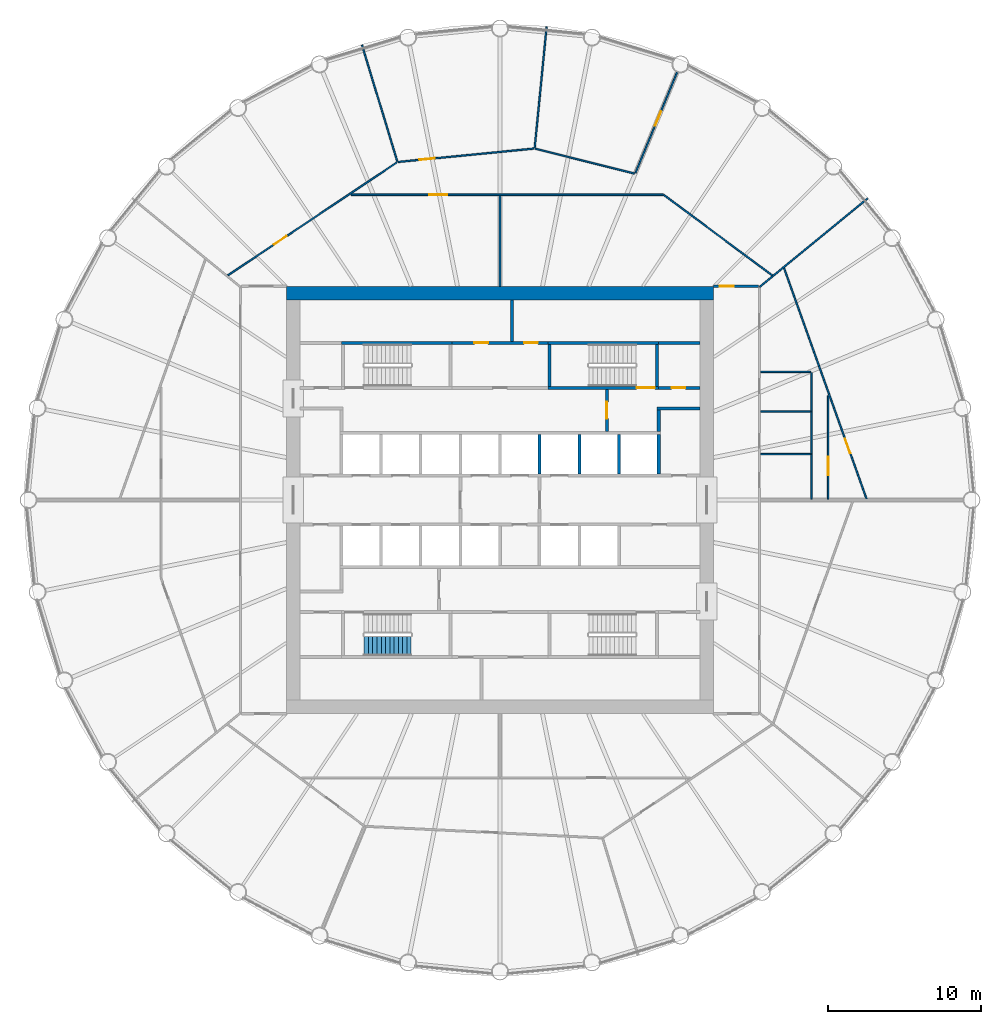
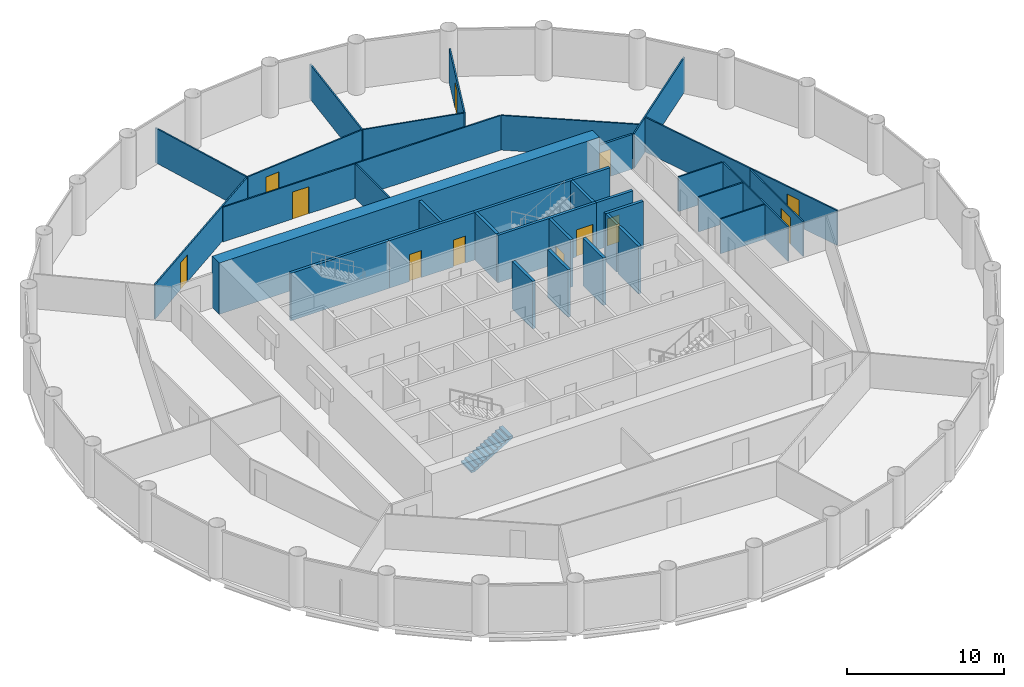
# One storey, part 7 of 9: 34 walls, 12 doors, 1 stair flight, 12 openings, 1 element without a shape of its own.
"""IFC4 building model written with IfcOpenShell, lengths in metres."""

from ifc_helpers import new_model, si_unit, direction, frame, frame_2d, origin, place, context, subcontext, project, spatial, polyline, rectangle, outline, extrude, material, layer, layer_set, type_object, element, fill, aggregate, save


model = new_model("IFC4")

# Units and contexts
model_context = context("Model", 3, precision=1e-05, world=origin(), true_north=direction((0.0, 1.0)))
body_context = subcontext(model_context, "Body", "Model", "MODEL_VIEW")
ifc_project = project(units=[si_unit("LENGTHUNIT", "METRE"), si_unit("AREAUNIT", "SQUARE_METRE"), si_unit("VOLUMEUNIT", "CUBIC_METRE"), si_unit("PLANEANGLEUNIT", "RADIAN"), si_unit("MASSUNIT", "GRAM", prefix="KILO")], contexts=[model_context])

# Site, building, storey
site_placement = place(None, origin())
site = spatial("IfcSite", under=ifc_project, at=site_placement, CompositionType="ELEMENT")
building_placement = place(site_placement, origin())
building = spatial("IfcBuilding", under=site, at=building_placement, Name="Corvane Civic Tower", CompositionType="ELEMENT")
storey_placement = place(building_placement, frame((0.0, 0.0, 184.0)))
storey = spatial("IfcBuildingStorey", under=building, at=storey_placement, Name="L43", CompositionType="ELEMENT", Elevation=184.0)

# Wall
ifc_material_1 = material(Name="Concrete C60/75", Category="concrete")
ifc_layer_1 = layer(ifc_material_1, 0.89990234375)
ifc_layer_set_1 = layer_set([ifc_layer_1], Name="Concrete C60/75")
wall_type_1 = type_object("IfcWallType", Name="CORE WALL 900 C60/75", PredefinedType="SHEAR", material=ifc_layer_set_1)
wall_1_placement = place(storey_placement, frame((-14.0, 13.550048828125, 0.0), z_axis=(0.0, 0.0, 1.0), x_axis=(1.0, 0.0, 0.0)))
element("IfcWall", 1, at=wall_1_placement, inside=storey, type_object=wall_type_1, Name="W-L43-core-N", PredefinedType="SHEAR", context=body_context, shape_type="SweptSolid", body=[
    extrude(rectangle(XDim=28.0, YDim=0.89990234375, at=frame_2d((14.0, 0.0))), origin(), (0.0, 0.0, 1.0), 4.0),
])

# Wall, opening, door
ifc_material_2 = material(Name="Concrete C30/37", Category="concrete")
ifc_layer_2 = layer(ifc_material_2, 0.199951171875)
ifc_layer_set_2 = layer_set([ifc_layer_2], Name="Concrete C30/37")
wall_type_2 = type_object("IfcWallType", Name="CR-WALL-200", PredefinedType="PARTITIONING", material=ifc_layer_set_2)
wall_2_placement = place(storey_placement, frame((10.39990234375, 7.35009765625, 0.0), z_axis=(0.0, 0.0, 1.0), x_axis=(1.0, 0.0, 0.0)))
wall_2 = element("IfcWall", 2, at=wall_2_placement, inside=storey, type_object=wall_type_2, Name="L43 core partition wall", PredefinedType="PARTITIONING", context=body_context, shape_type="SweptSolid", body=[
    extrude(rectangle(XDim=2.7001953125, YDim=0.199951171875, at=frame_2d((1.35009765625, 0.0))), origin(), (0.0, 0.0, 1.0), 3.699951171875),
])
opening_1_placement = place(wall_2_placement, frame((0.85009765625, 0.0, 0.0)))
opening_1 = element("IfcOpeningElement", 3, at=opening_1_placement, cuts=wall_2, Name="Opening L43.C14", PredefinedType="OPENING", context=body_context, shape_type="SweptSolid", body=[
    extrude(rectangle(XDim=0.89990234375, YDim=2.10009765625, at=frame_2d((0.449951171875, 1.050048828125))), frame((0.0, 0.10986328125, 0.0), z_axis=(0.0, -1.0, 0.0), x_axis=(1.0, 0.0, 0.0)), (0.0, 0.0, 1.0), 0.219970703125),
])
ifc_material_3 = material(Name="Steel fire door leaf", Category="steel")
door_type_1 = type_object("IfcDoorType", Name="CR-DOOR-900", OperationType="SINGLE_SWING_LEFT", PredefinedType="DOOR", material=ifc_material_3)
door_1_placement = place(opening_1_placement, origin())
door_1 = element("IfcDoor", 4, at=door_1_placement, inside=storey, type_object=door_type_1, Name="L43 door", OperationType="SINGLE_SWING_LEFT", OverallHeight=2.10009765625, OverallWidth=0.89990234375, PredefinedType="DOOR", context=body_context, shape_type="SweptSolid", body=[
    extrude(rectangle(XDim=0.89990234375, YDim=2.10009765625, at=frame_2d((0.449951171875, 1.050048828125))), frame((0.0, 0.02490234375, 0.0), z_axis=(0.0, -1.0, 0.0), x_axis=(1.0, 0.0, 0.0)), (0.0, 0.0, 1.0), 0.050048828125),
])
fill(opening_1, door_1)

# Wall, openings, doors
wall_3_placement = place(storey_placement, frame((-3.14990234375, 10.300048828125, 0.0), z_axis=(0.0, 0.0, 1.0), x_axis=(1.0, 0.0, 0.0)))
wall_3 = element("IfcWall", 5, at=wall_3_placement, inside=storey, type_object=wall_type_2, Name="L43 partition wall", PredefinedType="PARTITIONING", context=body_context, shape_type="SweptSolid", body=[
    extrude(rectangle(XDim=6.2998046875, YDim=0.199951171875, at=frame_2d((3.14990234375, 0.0))), origin(), (0.0, 0.0, 1.0), 3.699951171875),
])
opening_2_placement = place(wall_3_placement, frame((1.47509765625, 0.0, 0.0)))
opening_2 = element("IfcOpeningElement", 6, at=opening_2_placement, cuts=wall_3, Name="Opening L43.C08", PredefinedType="OPENING", context=body_context, shape_type="SweptSolid", body=[
    extrude(rectangle(XDim=0.89990234375, YDim=2.10009765625, at=frame_2d((0.449951171875, 1.050048828125))), frame((0.0, 0.10986328125, 0.0), z_axis=(0.0, -1.0, 0.0), x_axis=(1.0, 0.0, 0.0)), (0.0, 0.0, 1.0), 0.219970703125),
])
opening_3_placement = place(wall_3_placement, frame((4.72509765625, 0.0, 0.0)))
opening_3 = element("IfcOpeningElement", 7, at=opening_3_placement, cuts=wall_3, Name="Opening L43.C09", PredefinedType="OPENING", context=body_context, shape_type="SweptSolid", body=[
    extrude(rectangle(XDim=0.89990234375, YDim=2.10009765625, at=frame_2d((0.449951171875, 1.050048828125))), frame((0.0, 0.10986328125, 0.0), z_axis=(0.0, -1.0, 0.0), x_axis=(1.0, 0.0, 0.0)), (0.0, 0.0, 1.0), 0.219970703125),
])
door_2_placement = place(opening_2_placement, origin())
door_2 = element("IfcDoor", 8, at=door_2_placement, inside=storey, type_object=door_type_1, Name="L43 door", OperationType="SINGLE_SWING_LEFT", OverallHeight=2.10009765625, OverallWidth=0.89990234375, PredefinedType="DOOR", context=body_context, shape_type="SweptSolid", body=[
    extrude(rectangle(XDim=0.89990234375, YDim=2.10009765625, at=frame_2d((0.449951171875, 1.050048828125))), frame((0.0, 0.02490234375, 0.0), z_axis=(0.0, -1.0, 0.0), x_axis=(1.0, 0.0, 0.0)), (0.0, 0.0, 1.0), 0.050048828125),
])
fill(opening_2, door_2)
door_3_placement = place(opening_3_placement, origin())
door_3 = element("IfcDoor", 9, at=door_3_placement, inside=storey, type_object=door_type_1, Name="L43 door", OperationType="SINGLE_SWING_LEFT", OverallHeight=2.10009765625, OverallWidth=0.89990234375, PredefinedType="DOOR", context=body_context, shape_type="SweptSolid", body=[
    extrude(rectangle(XDim=0.89990234375, YDim=2.10009765625, at=frame_2d((0.449951171875, 1.050048828125))), frame((0.0, 0.02490234375, 0.0), z_axis=(0.0, -1.0, 0.0), x_axis=(1.0, 0.0, 0.0)), (0.0, 0.0, 1.0), 0.050048828125),
])
fill(opening_3, door_3)

# Wall, opening, door
wall_4_placement = place(storey_placement, frame((7.0, 4.5, 0.0), z_axis=(0.0, 0.0, 1.0), x_axis=(0.0, 1.0, 0.0)))
wall_4 = element("IfcWall", 10, at=wall_4_placement, inside=storey, type_object=wall_type_2, Name="L43 core partition wall", PredefinedType="PARTITIONING", context=body_context, shape_type="SweptSolid", body=[
    extrude(rectangle(XDim=2.75, YDim=0.199951171875, at=frame_2d((1.375, 0.0))), origin(), (0.0, 0.0, 1.0), 3.699951171875),
])
opening_4_placement = place(wall_4_placement, frame((0.824951171875, 0.0, 0.0)))
opening_4 = element("IfcOpeningElement", 11, at=opening_4_placement, cuts=wall_4, Name="Opening L43.C22", PredefinedType="OPENING", context=body_context, shape_type="SweptSolid", body=[
    extrude(rectangle(XDim=1.10009765625, YDim=2.10009765625, at=frame_2d((0.550048828125, 1.050048828125))), frame((0.0, 0.10986328125, 0.0), z_axis=(0.0, -1.0, 0.0), x_axis=(1.0, 0.0, 0.0)), (0.0, 0.0, 1.0), 0.219970703125),
])
ifc_material_4 = material(Name="Steel fire door leaf", Category="steel")
door_type_2 = type_object("IfcDoorType", Name="CR-DOOR-FFL-1100", OperationType="SINGLE_SWING_LEFT", PredefinedType="DOOR", material=ifc_material_4)
door_4_placement = place(opening_4_placement, origin())
door_4 = element("IfcDoor", 12, at=door_4_placement, inside=storey, type_object=door_type_2, Name="L43 lobby door", OperationType="SINGLE_SWING_LEFT", OverallHeight=2.10009765625, OverallWidth=1.10009765625, PredefinedType="DOOR", context=body_context, shape_type="SweptSolid", body=[
    extrude(rectangle(XDim=1.10009765625, YDim=2.10009765625, at=frame_2d((0.550048828125, 1.050048828125))), frame((0.0, 0.02490234375, 0.0), z_axis=(0.0, -1.0, 0.0), x_axis=(1.0, 0.0, 0.0)), (0.0, 0.0, 1.0), 0.050048828125),
])
fill(opening_4, door_4)

# Walls
wall_5_placement = place(storey_placement, origin())
element("IfcWall", 13, at=wall_5_placement, inside=storey, type_object=wall_type_2, Name="L43 core partition wall", PredefinedType="PARTITIONING", context=body_context, shape_type="SweptSolid", body=[
    extrude(outline(polyline([(13.10009765625, 5.89990234375), (10.300048828125, 5.89990234375), (10.300048828125, 6.10009765625), (13.10009765625, 6.10009765625), (13.10009765625, 5.89990234375)])), origin(), (0.0, 0.0, 1.0), 3.699951171875),
])
wall_6_placement = place(storey_placement, origin())
element("IfcWall", 14, at=wall_6_placement, inside=storey, type_object=wall_type_2, Name="L43 core partition wall", PredefinedType="PARTITIONING", context=body_context, shape_type="SweptSolid", body=[
    extrude(outline(polyline([(2.699951171875, 1.699951171875), (2.5, 1.699951171875), (2.5, 4.2998046875), (2.699951171875, 4.2998046875), (2.699951171875, 1.699951171875)])), origin(), (0.0, 0.0, 1.0), 3.699951171875),
])
wall_7_placement = place(storey_placement, origin())
element("IfcWall", 15, at=wall_7_placement, inside=storey, type_object=wall_type_2, Name="L43 core partition wall", PredefinedType="PARTITIONING", context=body_context, shape_type="SweptSolid", body=[
    extrude(outline(polyline([(5.300048828125, 1.699951171875), (5.10009765625, 1.699951171875), (5.10009765625, 4.2998046875), (5.300048828125, 4.2998046875), (5.300048828125, 1.699951171875)])), origin(), (0.0, 0.0, 1.0), 3.699951171875),
])
wall_8_placement = place(storey_placement, origin())
element("IfcWall", 16, at=wall_8_placement, inside=storey, type_object=wall_type_2, Name="L43 core partition wall", PredefinedType="PARTITIONING", context=body_context, shape_type="SweptSolid", body=[
    extrude(outline(polyline([(7.89990234375, 1.699951171875), (7.699951171875, 1.699951171875), (7.699951171875, 4.2998046875), (7.89990234375, 4.2998046875), (7.89990234375, 1.699951171875)])), origin(), (0.0, 0.0, 1.0), 3.699951171875),
])
wall_9_placement = place(storey_placement, origin())
element("IfcWall", 17, at=wall_9_placement, inside=storey, type_object=wall_type_2, Name="L43 core partition wall", PredefinedType="PARTITIONING", context=body_context, shape_type="SweptSolid", body=[
    extrude(outline(polyline([(10.5, 1.699951171875), (10.300048828125, 1.699951171875), (10.300048828125, 4.2998046875), (10.5, 4.2998046875), (10.5, 1.699951171875)])), origin(), (0.0, 0.0, 1.0), 3.699951171875),
])
wall_10_placement = place(storey_placement, origin())
element("IfcWall", 18, at=wall_10_placement, inside=storey, type_object=wall_type_2, Name="L43 core partition wall", PredefinedType="PARTITIONING", context=body_context, shape_type="SweptSolid", body=[
    extrude(outline(polyline([(10.5, 4.5), (10.300048828125, 4.5), (10.300048828125, 5.89990234375), (10.5, 5.89990234375), (10.5, 4.5)])), origin(), (0.0, 0.0, 1.0), 3.699951171875),
])
wall_11_placement = place(storey_placement, origin())
element("IfcWall", 19, at=wall_11_placement, inside=storey, type_object=wall_type_2, Name="L43 core partition wall", PredefinedType="PARTITIONING", context=body_context, shape_type="SweptSolid", body=[
    extrude(outline(polyline([(0.89990234375, 10.39990234375), (0.699951171875, 10.39990234375), (0.699951171875, 13.10009765625), (0.89990234375, 13.10009765625), (0.89990234375, 10.39990234375)])), origin(), (0.0, 0.0, 1.0), 3.699951171875),
])
wall_12_placement = place(storey_placement, origin())
element("IfcWall", 20, at=wall_12_placement, inside=storey, type_object=wall_type_2, Name="L43 core partition wall", PredefinedType="PARTITIONING", context=body_context, shape_type="SweptSolid", body=[
    extrude(outline(polyline([(10.39990234375, 10.199951171875), (10.39990234375, 10.39990234375), (13.10009765625, 10.39990234375), (13.10009765625, 10.199951171875), (10.39990234375, 10.199951171875)])), origin(), (0.0, 0.0, 1.0), 3.699951171875),
])
ifc_material_5 = material(Name="Plasterboard")
ifc_layer_3 = layer(ifc_material_5, 0.10009765625)
ifc_layer_set_3 = layer_set([ifc_layer_3], Name="Plasterboard")
wall_type_3 = type_object("IfcWallType", Name="Partition 100 plasterboard on studs", PredefinedType="PARTITIONING", material=ifc_layer_set_3)
wall_13_placement = place(storey_placement, frame((20.39990234375, 0.050048828125, 0.0), z_axis=(0.0, 0.0, 1.0), x_axis=(0.0, 1.0, 0.0)))
element("IfcWall", 21, at=wall_13_placement, inside=storey, type_object=wall_type_3, Name="Partition L43.020", PredefinedType="PARTITIONING", context=body_context, shape_type="SweptSolid", body=[
    extrude(rectangle(XDim=8.300048828125, YDim=0.10009765625, at=frame_2d((4.14990234375, 0.0))), origin(), (0.0, 0.0, 1.0), 2.699951171875),
])

# Wall, opening, door
wall_14_placement = place(storey_placement, frame((21.5, 0.050048828125, 0.0), z_axis=(0.0, 0.0, 1.0), x_axis=(0.0, 1.0, 0.0)))
wall_14 = element("IfcWall", 22, at=wall_14_placement, inside=storey, type_object=wall_type_3, Name="Partition L43.021", PredefinedType="PARTITIONING", context=body_context, shape_type="SweptSolid", body=[
    extrude(rectangle(XDim=6.76513671875, YDim=0.10009765625, at=frame_2d((3.382568359375, 0.0))), origin(), (0.0, 0.0, 1.0), 2.699951171875),
])
opening_5_placement = place(wall_14_placement, frame((1.56982421875, 0.0, 0.0)))
opening_5 = element("IfcOpeningElement", 23, at=opening_5_placement, cuts=wall_14, Name="Opening L43.014", PredefinedType="OPENING", context=body_context, shape_type="SweptSolid", body=[
    extrude(rectangle(XDim=1.199951171875, YDim=2.10009765625, at=frame_2d((0.60009765625, 1.050048828125))), frame((0.0, 0.06005859375, 0.0), z_axis=(0.0, -1.0, 0.0), x_axis=(1.0, 0.0, 0.0)), (0.0, 0.0, 1.0), 0.1201171875),
])
ifc_material_6 = material(Name="Timber", Category="wood")
door_type_3 = type_object("IfcDoorType", Name="Double door 1200", OperationType="NOTDEFINED", PredefinedType="DOOR", material=ifc_material_6)
door_5_placement = place(opening_5_placement, frame((1.199951171875, 0.0, 0.0), z_axis=(0.0, 0.0, 1.0), x_axis=(-1.0, 0.0, 0.0)))
door_5 = element("IfcDoor", 24, at=door_5_placement, inside=storey, type_object=door_type_3, Name="Door L43.014", OperationType="DOUBLE_DOOR_SINGLE_SWING", OverallHeight=2.10009765625, OverallWidth=1.199951171875, PredefinedType="DOOR", context=body_context, shape_type="SweptSolid", body=[
    extrude(rectangle(XDim=1.199951171875, YDim=2.10009765625, at=frame_2d((0.60009765625, 1.050048828125))), frame((0.0, 0.02490234375, 0.0), z_axis=(0.0, -1.0, 0.0), x_axis=(1.0, 0.0, 0.0)), (0.0, 0.0, 1.0), 0.050048828125),
])
fill(opening_5, door_5)

wall_15_placement = place(storey_placement, frame((18.6083984375, 15.18505859375, 0.0), z_axis=(0.0, 0.0, 1.0), x_axis=(0.336879589129, -0.941547737732, 0.0)))
wall_15 = element("IfcWall", 25, at=wall_15_placement, inside=storey, type_object=wall_type_3, Name="Partition L43.023", PredefinedType="PARTITIONING", context=body_context, shape_type="SweptSolid", body=[
    extrude(rectangle(XDim=16.056640625, YDim=0.10009765625, at=frame_2d((8.0283203125, 0.0))), origin(), (0.0, 0.0, 1.0), 2.699951171875),
])
opening_6_placement = place(wall_15_placement, frame((11.872802734375, 0.0, 0.0)))
opening_6 = element("IfcOpeningElement", 26, at=opening_6_placement, cuts=wall_15, Name="Opening L43.013", PredefinedType="OPENING", context=body_context, shape_type="SweptSolid", body=[
    extrude(rectangle(XDim=1.0, YDim=2.10009765625, at=frame_2d((0.5, 1.050048828125))), frame((0.0, 0.06005859375, 0.0), z_axis=(0.0, -1.0, 0.0), x_axis=(1.0, 0.0, 0.0)), (0.0, 0.0, 1.0), 0.1201171875),
])
ifc_material_7 = material(Name="Timber", Category="wood")
door_type_4 = type_object("IfcDoorType", Name="Single door 1000", OperationType="NOTDEFINED", PredefinedType="DOOR", material=ifc_material_7)
door_6_placement = place(opening_6_placement, origin())
door_6 = element("IfcDoor", 27, at=door_6_placement, inside=storey, type_object=door_type_4, Name="Door L43.013", OperationType="SINGLE_SWING_LEFT", OverallHeight=2.10009765625, OverallWidth=1.0, PredefinedType="DOOR", context=body_context, shape_type="SweptSolid", body=[
    extrude(rectangle(XDim=1.0, YDim=2.10009765625, at=frame_2d((0.5, 1.050048828125))), frame((0.0, 0.02490234375, 0.0), z_axis=(0.0, -1.0, 0.0), x_axis=(1.0, 0.0, 0.0)), (0.0, 0.0, 1.0), 0.050048828125),
])
fill(opening_6, door_6)

# Walls
for number, where, z_axis, x_axis, name in (
    (28, (17.074951171875, 3.0, 0.0), (0.0, 0.0, 1.0), (1.0, 0.0, 0.0), "Partition L43.024"),
    (29, (17.074951171875, 5.800048828125, 0.0), (0.0, 0.0, 1.0), (1.0, 0.0, 0.0), "Partition L43.025"),
    (30, (17.074951171875, 8.39990234375, 0.0), (0.0, 0.0, 1.0), (1.0, 0.0, 0.0), "Partition L43.026"),
):
    element("IfcWall", number, at=place(storey_placement, frame(where, z_axis=z_axis, x_axis=x_axis)), inside=storey, type_object=wall_type_3, Name=name, PredefinedType="PARTITIONING", context=body_context, shape_type="SweptSolid", body=[
        extrude(rectangle(XDim=3.275146484375, YDim=0.10009765625, at=frame_2d((1.6376953125, 0.0))), origin(), (0.0, 0.0, 1.0), 2.699951171875),
    ])
wall_16_placement = place(storey_placement, frame((17.018310546875, 13.966552734375, 0.0), z_axis=(0.0, 0.0, 1.0), x_axis=(0.773006154143, 0.634398522742, 0.0)))
element("IfcWall", 31, at=wall_16_placement, inside=storey, type_object=wall_type_3, Name="Partition L43.028", PredefinedType="PARTITIONING", context=body_context, shape_type="SweptSolid", body=[
    extrude(rectangle(XDim=9.134521484375, YDim=0.10009765625, at=frame_2d((4.5673828125, 0.0))), origin(), (0.0, 0.0, 1.0), 2.699951171875),
])
wall_17_placement = place(storey_placement, frame((0.0, 14.0, 0.0), z_axis=(0.0, 0.0, 1.0), x_axis=(0.0, 1.0, 0.0)))
element("IfcWall", 32, at=wall_17_placement, inside=storey, type_object=wall_type_3, Name="Partition L43.030", PredefinedType="PARTITIONING", context=body_context, shape_type="SweptSolid", body=[
    extrude(rectangle(XDim=5.949951171875, YDim=0.10009765625, at=frame_2d((2.97509765625, 0.0))), origin(), (0.0, 0.0, 1.0), 2.699951171875),
])

# Wall, opening, door
wall_18_placement = place(storey_placement, frame((-17.831787109375, 14.717529296875, 0.0), z_axis=(0.0, 0.0, 1.0), x_axis=(0.831460930183, 0.55558322651, 0.0)))
wall_18 = element("IfcWall", 33, at=wall_18_placement, inside=storey, type_object=wall_type_3, Name="Partition L43.032", PredefinedType="PARTITIONING", context=body_context, shape_type="SweptSolid", body=[
    extrude(rectangle(XDim=13.330078125, YDim=0.10009765625, at=frame_2d((6.6650390625, 0.0))), origin(), (0.0, 0.0, 1.0), 2.699951171875),
])
opening_7_placement = place(wall_18_placement, frame((3.630126953125, 0.0, 0.0)))
opening_7 = element("IfcOpeningElement", 34, at=opening_7_placement, cuts=wall_18, Name="Opening L43.001", PredefinedType="OPENING", context=body_context, shape_type="SweptSolid", body=[
    extrude(rectangle(XDim=1.0, YDim=2.10009765625, at=frame_2d((0.5, 1.050048828125))), frame((0.0, 0.06005859375, 0.0), z_axis=(0.0, -1.0, 0.0), x_axis=(1.0, 0.0, 0.0)), (0.0, 0.0, 1.0), 0.1201171875),
])
door_7_placement = place(opening_7_placement, origin())
door_7 = element("IfcDoor", 35, at=door_7_placement, inside=storey, type_object=door_type_4, Name="Door L43.001", OperationType="SINGLE_SWING_LEFT", OverallHeight=2.10009765625, OverallWidth=1.0, PredefinedType="DOOR", context=body_context, shape_type="SweptSolid", body=[
    extrude(rectangle(XDim=1.0, YDim=2.10009765625, at=frame_2d((0.5, 1.050048828125))), frame((0.0, 0.02490234375, 0.0), z_axis=(0.0, -1.0, 0.0), x_axis=(1.0, 0.0, 0.0)), (0.0, 0.0, 1.0), 0.050048828125),
])
fill(opening_7, door_7)

# Wall
wall_19_placement = place(storey_placement, frame((10.728271484375, 19.990234375, 0.0), z_axis=(0.0, 0.0, 1.0), x_axis=(0.803209586085, -0.595696534169, 0.0)))
element("IfcWall", 36, at=wall_19_placement, inside=storey, type_object=wall_type_3, Name="Partition L43.033", PredefinedType="PARTITIONING", context=body_context, shape_type="SweptSolid", body=[
    extrude(rectangle(XDim=8.849609375, YDim=0.10009765625, at=frame_2d((4.4248046875, 0.0))), origin(), (0.0, 0.0, 1.0), 2.699951171875),
])

# Wall, opening, door
wall_20_placement = place(storey_placement, frame((-9.761474609375, 20.0, 0.0), z_axis=(0.0, 0.0, 1.0), x_axis=(1.0, 0.0, 0.0)))
wall_20 = element("IfcWall", 37, at=wall_20_placement, inside=storey, type_object=wall_type_3, Name="Partition L43.034", PredefinedType="PARTITIONING", context=body_context, shape_type="SweptSolid", body=[
    extrude(rectangle(XDim=20.4599609375, YDim=0.10009765625, at=frame_2d((10.22998046875, 0.0))), origin(), (0.0, 0.0, 1.0), 2.699951171875),
])
opening_8_placement = place(wall_20_placement, frame((5.11669921875, 0.0, 0.0)))
opening_8 = element("IfcOpeningElement", 38, at=opening_8_placement, cuts=wall_20, Name="Opening L43.004", PredefinedType="OPENING", context=body_context, shape_type="SweptSolid", body=[
    extrude(rectangle(XDim=1.199951171875, YDim=2.10009765625, at=frame_2d((0.60009765625, 1.050048828125))), frame((0.0, 0.06005859375, 0.0), z_axis=(0.0, -1.0, 0.0), x_axis=(1.0, 0.0, 0.0)), (0.0, 0.0, 1.0), 0.1201171875),
])
door_8_placement = place(opening_8_placement, origin())
door_8 = element("IfcDoor", 39, at=door_8_placement, inside=storey, type_object=door_type_3, Name="Door L43.004", OperationType="DOUBLE_DOOR_SINGLE_SWING", OverallHeight=2.10009765625, OverallWidth=1.199951171875, PredefinedType="DOOR", context=body_context, shape_type="SweptSolid", body=[
    extrude(rectangle(XDim=1.199951171875, YDim=2.10009765625, at=frame_2d((0.60009765625, 1.050048828125))), frame((0.0, 0.02490234375, 0.0), z_axis=(0.0, -1.0, 0.0), x_axis=(1.0, 0.0, 0.0)), (0.0, 0.0, 1.0), 0.050048828125),
])
fill(opening_8, door_8)

# Wall
wall_21_placement = place(storey_placement, frame((2.31005859375, 23.018798828125, 0.0), z_axis=(0.0, 0.0, 1.0), x_axis=(0.970020284766, -0.243023964133, 0.0)))
element("IfcWall", 40, at=wall_21_placement, inside=storey, type_object=wall_type_3, Name="Partition L43.035", PredefinedType="PARTITIONING", context=body_context, shape_type="SweptSolid", body=[
    extrude(rectangle(XDim=6.70458984375, YDim=0.10009765625, at=frame_2d((3.352294921875, 0.0))), origin(), (0.0, 0.0, 1.0), 2.699951171875),
])

# Wall, opening, door
wall_22_placement = place(storey_placement, frame((8.8720703125, 21.4189453125, 0.0), z_axis=(0.0, 0.0, 1.0), x_axis=(0.382674187427, 0.923883361836, 0.0)))
wall_22 = element("IfcWall", 41, at=wall_22_placement, inside=storey, type_object=wall_type_3, Name="Partition L43.036", PredefinedType="PARTITIONING", context=body_context, shape_type="SweptSolid", body=[
    extrude(rectangle(XDim=7.15625, YDim=0.10009765625, at=frame_2d((3.578125, 0.0))), origin(), (0.0, 0.0, 1.0), 2.699951171875),
])
opening_9_placement = place(wall_22_placement, frame((3.361572265625, 0.0, 0.0)))
opening_9 = element("IfcOpeningElement", 42, at=opening_9_placement, cuts=wall_22, Name="Opening L43.003", PredefinedType="OPENING", context=body_context, shape_type="SweptSolid", body=[
    extrude(rectangle(XDim=1.0, YDim=2.10009765625, at=frame_2d((0.5, 1.050048828125))), frame((0.0, 0.06005859375, 0.0), z_axis=(0.0, -1.0, 0.0), x_axis=(1.0, 0.0, 0.0)), (0.0, 0.0, 1.0), 0.1201171875),
])
door_9_placement = place(opening_9_placement, origin())
door_9 = element("IfcDoor", 43, at=door_9_placement, inside=storey, type_object=door_type_4, Name="Door L43.003", OperationType="SINGLE_SWING_LEFT", OverallHeight=2.10009765625, OverallWidth=1.0, PredefinedType="DOOR", context=body_context, shape_type="SweptSolid", body=[
    extrude(rectangle(XDim=1.0, YDim=2.10009765625, at=frame_2d((0.5, 1.050048828125))), frame((0.0, 0.02490234375, 0.0), z_axis=(0.0, -1.0, 0.0), x_axis=(1.0, 0.0, 0.0)), (0.0, 0.0, 1.0), 0.050048828125),
])
fill(opening_9, door_9)

wall_23_placement = place(storey_placement, frame((-6.676513671875, 22.148193359375, 0.0), z_axis=(0.0, 0.0, 1.0), x_axis=(0.995184677377, 0.098017640832, 0.0)))
wall_23 = element("IfcWall", 44, at=wall_23_placement, inside=storey, type_object=wall_type_3, Name="Partition L43.037", PredefinedType="PARTITIONING", context=body_context, shape_type="SweptSolid", body=[
    extrude(rectangle(XDim=8.94677734375, YDim=0.10009765625, at=frame_2d((4.473388671875, 0.0))), origin(), (0.0, 0.0, 1.0), 2.699951171875),
])
opening_10_placement = place(wall_23_placement, frame((1.410400390625, 0.0, 0.0)))
opening_10 = element("IfcOpeningElement", 45, at=opening_10_placement, cuts=wall_23, Name="Opening L43.002", PredefinedType="OPENING", context=body_context, shape_type="SweptSolid", body=[
    extrude(rectangle(XDim=1.0, YDim=2.10009765625, at=frame_2d((0.5, 1.050048828125))), frame((0.0, 0.06005859375, 0.0), z_axis=(0.0, -1.0, 0.0), x_axis=(1.0, 0.0, 0.0)), (0.0, 0.0, 1.0), 0.1201171875),
])
door_10_placement = place(opening_10_placement, origin())
door_10 = element("IfcDoor", 46, at=door_10_placement, inside=storey, type_object=door_type_4, Name="Door L43.002", OperationType="SINGLE_SWING_RIGHT", OverallHeight=2.10009765625, OverallWidth=1.0, PredefinedType="DOOR", context=body_context, shape_type="SweptSolid", body=[
    extrude(rectangle(XDim=1.0, YDim=2.10009765625, at=frame_2d((0.5, 1.050048828125))), frame((0.0, 0.02490234375, 0.0), z_axis=(0.0, -1.0, 0.0), x_axis=(1.0, 0.0, 0.0)), (0.0, 0.0, 1.0), 0.050048828125),
])
fill(opening_10, door_10)

# Walls
wall_24_placement = place(storey_placement, frame((-9.04248046875, 29.808837890625, 0.0), z_axis=(0.0, 0.0, 1.0), x_axis=(0.290292243509, -0.956938040501, 0.0)))
element("IfcWall", 47, at=wall_24_placement, inside=storey, type_object=wall_type_3, Name="Partition L43.038", PredefinedType="PARTITIONING", context=body_context, shape_type="SweptSolid", body=[
    extrude(rectangle(XDim=7.96875, YDim=0.10009765625, at=frame_2d((3.984375, 0.0))), origin(), (0.0, 0.0, 1.0), 2.699951171875),
])
wall_25_placement = place(storey_placement, frame((2.2724609375, 23.072021484375, 0.0), z_axis=(0.0, 0.0, 1.0), x_axis=(0.09800470141, 0.99518595172, 0.0)))
element("IfcWall", 48, at=wall_25_placement, inside=storey, type_object=wall_type_3, Name="Partition L43.039", PredefinedType="PARTITIONING", context=body_context, shape_type="SweptSolid", body=[
    extrude(rectangle(XDim=7.966552734375, YDim=0.10009765625, at=frame_2d((3.9833984375, 0.0))), origin(), (0.0, 0.0, 1.0), 2.699951171875),
])

# Wall, opening, door
ifc_material_8 = material(Name="Concrete C50/60", Category="concrete")
ifc_layer_4 = layer(ifc_material_8, 0.199951171875)
ifc_layer_set_4 = layer_set([ifc_layer_4], Name="Concrete C50/60")
wall_type_4 = type_object("IfcWallType", Name="ST-WALL-200", PredefinedType="SHEAR", material=ifc_layer_set_4)
wall_26_placement = place(storey_placement, frame((3.14990234375, 7.35009765625, 0.0), z_axis=(0.0, 0.0, 1.0), x_axis=(1.0, 0.0, 0.0)))
wall_26 = element("IfcWall", 49, at=wall_26_placement, inside=storey, type_object=wall_type_4, Name="L43 stair enclosure wall", PredefinedType="SHEAR", context=body_context, shape_type="SweptSolid", body=[
    extrude(rectangle(XDim=7.25, YDim=0.199951171875, at=frame_2d((3.625, 0.0))), origin(), (0.0, 0.0, 1.0), 3.699951171875),
])
opening_11_placement = place(wall_26_placement, frame((5.800048828125, 0.0, 0.0)))
opening_11 = element("IfcOpeningElement", 50, at=opening_11_placement, cuts=wall_26, Name="Opening L43.C16", PredefinedType="OPENING", context=body_context, shape_type="SweptSolid", body=[
    extrude(rectangle(XDim=1.199951171875, YDim=2.10009765625, at=frame_2d((0.60009765625, 1.050048828125))), frame((0.0, 0.10986328125, 0.0), z_axis=(0.0, -1.0, 0.0), x_axis=(1.0, 0.0, 0.0)), (0.0, 0.0, 1.0), 0.219970703125),
])
ifc_material_9 = material(Name="Steel fire door leaf", Category="steel")
door_type_5 = type_object("IfcDoorType", Name="ST-DOOR-1200", OperationType="SINGLE_SWING_RIGHT", PredefinedType="DOOR", material=ifc_material_9)
door_11_placement = place(opening_11_placement, origin())
door_11 = element("IfcDoor", 51, at=door_11_placement, inside=storey, type_object=door_type_5, Name="L43 stair door", OperationType="SINGLE_SWING_RIGHT", OverallHeight=2.10009765625, OverallWidth=1.199951171875, PredefinedType="DOOR", context=body_context, shape_type="SweptSolid", body=[
    extrude(rectangle(XDim=1.199951171875, YDim=2.10009765625, at=frame_2d((0.60009765625, 1.050048828125))), frame((0.0, 0.02490234375, 0.0), z_axis=(0.0, -1.0, 0.0), x_axis=(1.0, 0.0, 0.0)), (0.0, 0.0, 1.0), 0.050048828125),
])
fill(opening_11, door_11)

# Walls
wall_27_placement = place(storey_placement, origin())
element("IfcWall", 52, at=wall_27_placement, inside=storey, type_object=wall_type_4, Name="L43 stair enclosure wall", PredefinedType="SHEAR", context=body_context, shape_type="SweptSolid", body=[
    extrude(outline(polyline([(-3.14990234375, 10.199951171875), (-10.39990234375, 10.199951171875), (-10.39990234375, 10.39990234375), (-3.14990234375, 10.39990234375), (-3.14990234375, 10.199951171875)])), origin(), (0.0, 0.0, 1.0), 3.699951171875),
])
wall_28_placement = place(storey_placement, origin())
element("IfcWall", 53, at=wall_28_placement, inside=storey, type_object=wall_type_4, Name="L43 stair enclosure wall", PredefinedType="SHEAR", context=body_context, shape_type="SweptSolid", body=[
    extrude(outline(polyline([(10.39990234375, 10.199951171875), (3.14990234375, 10.199951171875), (3.14990234375, 10.39990234375), (10.39990234375, 10.39990234375), (10.39990234375, 10.199951171875)])), origin(), (0.0, 0.0, 1.0), 3.699951171875),
])
wall_29_placement = place(storey_placement, origin())
element("IfcWall", 54, at=wall_29_placement, inside=storey, type_object=wall_type_4, Name="L43 stair enclosure wall", PredefinedType="SHEAR", context=body_context, shape_type="SweptSolid", body=[
    extrude(outline(polyline([(3.35009765625, 7.449951171875), (3.14990234375, 7.449951171875), (3.14990234375, 10.199951171875), (3.35009765625, 10.199951171875), (3.35009765625, 7.449951171875)])), origin(), (0.0, 0.0, 1.0), 3.699951171875),
])
wall_30_placement = place(storey_placement, origin())
element("IfcWall", 55, at=wall_30_placement, inside=storey, type_object=wall_type_4, Name="L43 stair enclosure wall", PredefinedType="SHEAR", context=body_context, shape_type="SweptSolid", body=[
    extrude(outline(polyline([(10.39990234375, 7.449951171875), (10.199951171875, 7.449951171875), (10.199951171875, 10.199951171875), (10.39990234375, 10.199951171875), (10.39990234375, 7.449951171875)])), origin(), (0.0, 0.0, 1.0), 3.699951171875),
])

# Wall, opening, door
ifc_material_10 = material(Name="Plasterboard")
ifc_layer_5 = layer(ifc_material_10, 0.14990234375)
ifc_layer_set_5 = layer_set([ifc_layer_5], Name="Plasterboard")
wall_type_5 = type_object("IfcWallType", Name="Tenancy wall 150 EI 60", PredefinedType="PARTITIONING", material=ifc_layer_set_5)
wall_31_placement = place(storey_placement, frame((13.989990234375, 14.0, 0.0), z_axis=(0.0, 0.0, 1.0), x_axis=(1.0, 0.0, 0.0)))
wall_31 = element("IfcWall", 56, at=wall_31_placement, inside=storey, type_object=wall_type_5, Name="Partition L43.031", PredefinedType="PARTITIONING", context=body_context, shape_type="SweptSolid", body=[
    extrude(rectangle(XDim=2.93505859375, YDim=0.14990234375, at=frame_2d((1.467529296875, 0.0))), origin(), (0.0, 0.0, 1.0), 2.699951171875),
])
opening_12_placement = place(wall_31_placement, frame((0.41650390625, 0.0, 0.0)))
opening_12 = element("IfcOpeningElement", 57, at=opening_12_placement, cuts=wall_31, Name="Opening L43.006", PredefinedType="OPENING", context=body_context, shape_type="SweptSolid", body=[
    extrude(rectangle(XDim=0.89990234375, YDim=2.10009765625, at=frame_2d((0.449951171875, 1.050048828125))), frame((0.0, 0.0849609375, 0.0), z_axis=(0.0, -1.0, 0.0), x_axis=(1.0, 0.0, 0.0)), (0.0, 0.0, 1.0), 0.169921875),
])
ifc_material_11 = material(Name="Steel and timber", Category="steel")
door_type_6 = type_object("IfcDoorType", Name="Fire door FD30S 900", OperationType="NOTDEFINED", PredefinedType="DOOR", material=ifc_material_11)
door_12_placement = place(opening_12_placement, origin())
door_12 = element("IfcDoor", 58, at=door_12_placement, inside=storey, type_object=door_type_6, Name="Door L43.006", OperationType="SINGLE_SWING_LEFT", OverallHeight=2.10009765625, OverallWidth=0.89990234375, PredefinedType="DOOR", context=body_context, shape_type="SweptSolid", body=[
    extrude(rectangle(XDim=0.89990234375, YDim=2.10009765625, at=frame_2d((0.449951171875, 1.050048828125))), frame((0.0, 0.02490234375, 0.0), z_axis=(0.0, -1.0, 0.0), x_axis=(1.0, 0.0, 0.0)), (0.0, 0.0, 1.0), 0.050048828125),
])
fill(opening_12, door_12)

# Stair, stair flight
ifc_material_12 = material(Name="Concrete C40/50", Category="concrete")
stair_type = type_object("IfcStairType", Name="ST-STAIR-HALFTURN", PredefinedType="HALF_TURN_STAIR", material=ifc_material_12)
stair_placement = place(storey_placement, origin())
stair = element("IfcStair", 59, at=stair_placement, inside=storey, type_object=stair_type, Name="L43 Exit stair ST3", PredefinedType="HALF_TURN_STAIR")
ifc_material_13 = material(Name="Concrete C40/50", Category="concrete")
stair_flight_type = type_object("IfcStairFlightType", Name="ST-FLIGHT-RC", PredefinedType="STRAIGHT", material=ifc_material_13)
stair_flight_placement = place(storey_placement, frame((-8.89990234375, -9.550048828125, 0.0), z_axis=(0.0, 0.0, 1.0), x_axis=(1.0, 0.0, 0.0)))
stair_flight = element("IfcStairFlight", 60, at=stair_flight_placement, type_object=stair_flight_type, Name="ST3 flight 1", NumberOfRisers=12, NumberOfTreads=11, PredefinedType="STRAIGHT", RiserHeight=0.166666667, TreadLength=0.28, context=body_context, shape_type="SweptSolid", body=[
    extrude(outline(polyline([(0.0, 0.0), (0.0, 0.166748046875), (0.280029296875, 0.166748046875), (0.280029296875, 0.333251953125), (0.56005859375, 0.333251953125), (0.56005859375, 0.5), (0.840087890625, 0.5), (0.840087890625, 0.666748046875), (1.1201171875, 0.666748046875), (1.1201171875, 0.833251953125), (1.39990234375, 0.833251953125), (1.39990234375, 1.0), (1.679931640625, 1.0), (1.679931640625, 1.166748046875), (1.9599609375, 1.166748046875), (1.9599609375, 1.333251953125), (2.239990234375, 1.333251953125), (2.239990234375, 1.5), (2.52001953125, 1.5), (2.52001953125, 1.666748046875), (2.800048828125, 1.666748046875), (2.800048828125, 1.833251953125), (3.080078125, 1.833251953125), (3.080078125, 2.0), (3.080078125, 1.658935546875), (0.29296875, 0.0), (0.0, 0.0)])), frame((0.0, 0.64990234375, 0.0), z_axis=(0.0, -1.0, 0.0), x_axis=(1.0, 0.0, 0.0)), (0.0, 0.0, 1.0), 1.300048828125),
])
aggregate(stair, [stair_flight])

save(model, "model.ifc")
